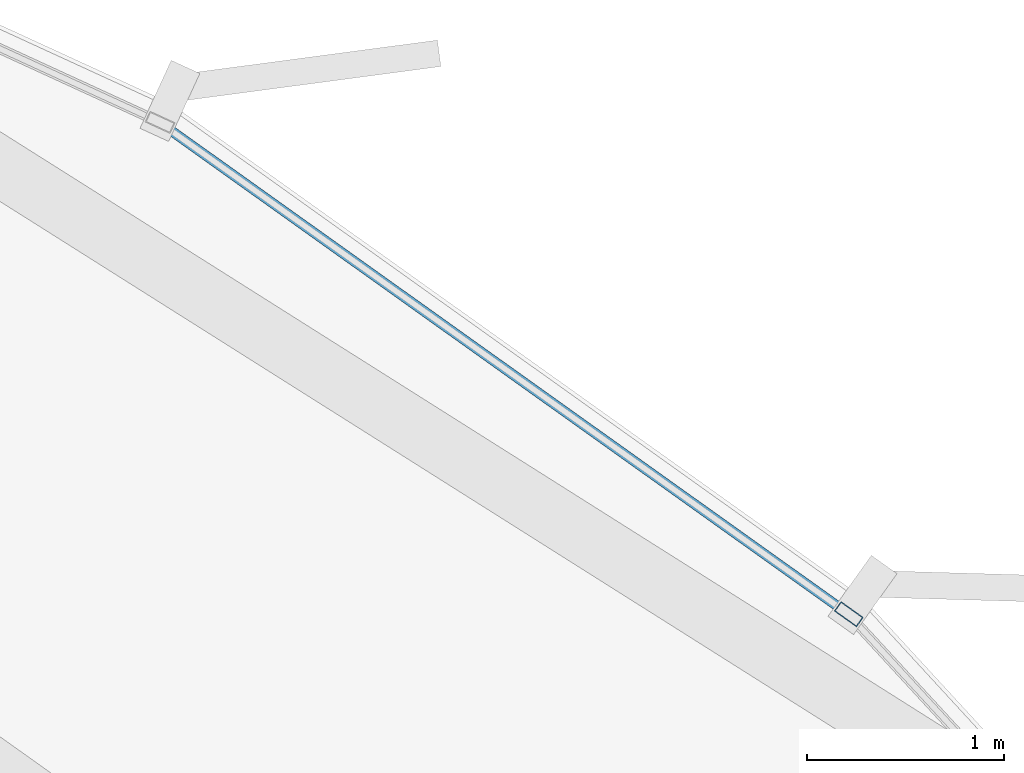
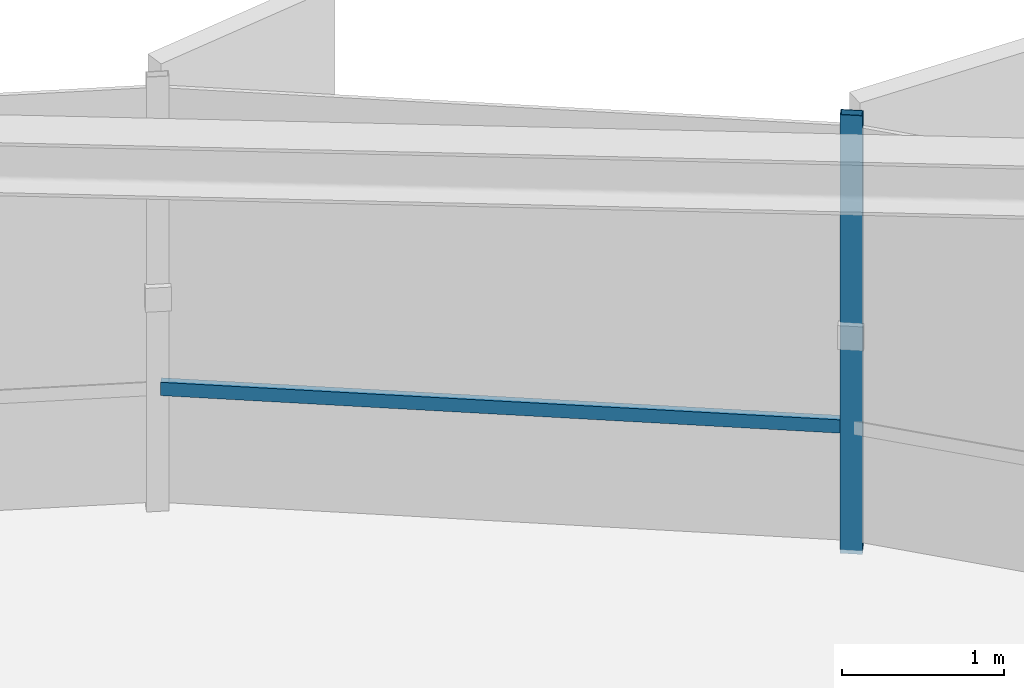
# One storey, part 25 of 34: 2 members, 1 element without a shape of its own.
"""IFC4 building model written with IfcOpenShell, lengths in metres."""

import ifcopenshell
import ifcopenshell.guid

model = None  # the IFC model being written
_history = None  # IfcOwnerHistory: only IFC2X3 demands one
_inside = {}  # id of a spatial element -> (the spatial element, [elements in it])
_under = {}  # id of a project, library or spatial element -> (it, [spatial elements below it])
_declared = {}  # id of a project -> (the project, [libraries it declares])
_typed = {}  # id of a type object -> (the type object, [elements of that type])
_made_of = {}  # id of a material, layer set ... -> (it, [elements and type objects made of it])


def new_model(schema):
    """Start an empty IFC model of exactly this schema.

    Asked for "IFC4X3", IfcOpenShell would pick the latest addendum, in which some entities
    have other attributes; the version numbers below select the first issue.
    IFC2X3 requires an IfcOwnerHistory on every rooted entity: one is made here for all.
    """
    global model, _history
    if schema == "IFC4X3":
        model = ifcopenshell.file(schema_version=(4, 3, 0, 0))
    else:
        model = ifcopenshell.file(schema=schema)
    _inside.clear()
    _under.clear()
    _declared.clear()
    _typed.clear()
    _made_of.clear()
    _history = None
    if model.schema == "IFC2X3":
        org = make("IfcOrganization", Name="unknown")
        user = make(
            "IfcPersonAndOrganization",
            ThePerson=make("IfcPerson", FamilyName="unknown"),
            TheOrganization=org,
        )
        app = make(
            "IfcApplication",
            ApplicationDeveloper=org,
            Version="unknown",
            ApplicationFullName="unknown",
            ApplicationIdentifier="unknown",
        )
        _history = make(
            "IfcOwnerHistory",
            OwningUser=user,
            OwningApplication=app,
            ChangeAction="ADDED",
            CreationDate=0,
        )
    return model


def make(cls, **values):
    """One entity of the class cls with the attributes given. An attribute that is None is left unset."""
    return model.create_entity(
        cls, **{name: value for name, value in values.items() if value is not None}
    )


def rooted(cls, **values):
    """An entity with a GlobalId (a new one), such as an element, a storey or a relation."""
    return make(cls, GlobalId=ifcopenshell.guid.new(), OwnerHistory=_history, **values)


def si_unit(unit_type, name, prefix=None):
    """IfcSIUnit, for example si_unit("LENGTHUNIT", "METRE", prefix="MILLI")."""
    return make("IfcSIUnit", UnitType=unit_type, Prefix=prefix, Name=name)


def assignment(units):
    """IfcUnitAssignment: the units of a project."""
    return None if units is None else make("IfcUnitAssignment", Units=units)


def point(xyz):
    """IfcCartesianPoint."""
    return None if xyz is None else make("IfcCartesianPoint", Coordinates=xyz)


def direction(xyz):
    """IfcDirection."""
    return None if xyz is None else make("IfcDirection", DirectionRatios=xyz)


def frame(location, z_axis=None, x_axis=None):
    """IfcAxis2Placement3D, a coordinate frame: its origin and axes. An axis left out is left unset."""
    return make(
        "IfcAxis2Placement3D",
        Location=point(location),
        Axis=direction(z_axis),
        RefDirection=direction(x_axis),
    )


def frame_2d(location, x_axis=None):
    """IfcAxis2Placement2D, a coordinate frame in the plane: its origin and x axis."""
    return make(
        "IfcAxis2Placement2D", Location=point(location), RefDirection=direction(x_axis)
    )


def origin():
    """The frame at (0, 0, 0) with its axes left unset."""
    return frame((0.0, 0.0, 0.0))


def origin_2d():
    """The frame at (0, 0) in the plane with its x axis left unset."""
    return frame_2d((0.0, 0.0))


def place(relative_to, where):
    """IfcLocalPlacement: puts the frame where relative to a parent placement (None: the world)."""
    return make(
        "IfcLocalPlacement", PlacementRelTo=relative_to, RelativePlacement=where
    )


def context(
    kind, dimensions, precision=None, world=None, true_north=None, identifier=None
):
    """IfcGeometricRepresentationContext, for example the 3D "Model" context."""
    return make(
        "IfcGeometricRepresentationContext",
        ContextIdentifier=identifier,
        ContextType=kind,
        CoordinateSpaceDimension=dimensions,
        Precision=precision,
        WorldCoordinateSystem=world,
        TrueNorth=true_north,
    )


def subcontext(parent, identifier, kind, view, scale=None):
    """IfcGeometricRepresentationSubContext, for example "Body" below "Model"."""
    return make(
        "IfcGeometricRepresentationSubContext",
        ContextIdentifier=identifier,
        ContextType=kind,
        ParentContext=parent,
        TargetScale=scale,
        TargetView=view,
    )


def project(units=None, contexts=None):
    """IfcProject with its units and contexts."""
    return rooted(
        "IfcProject",
        Name="project",
        RepresentationContexts=contexts,
        UnitsInContext=assignment(units),
    )


def spatial(cls, under=None, at=None, **own):
    """A site, building, storey or space (cls), placed at a placement, below another one or the project."""
    s = rooted(cls, ObjectPlacement=at, **own)
    if under is not None:
        _under.setdefault(under.id(), (under, []))[1].append(s)
    return s


def profile(cls, at=None, kind="AREA", **sizes):
    """A parametric profile (cls). Its sizes go by their IFC names, for example OverallWidth=200.0."""
    return make(cls, ProfileType=kind, Position=at, **sizes)


def hollow_rectangle(**sizes):
    """IfcRectangleHollowProfileDef."""
    return profile("IfcRectangleHollowProfileDef", **sizes)


def extrude(swept, where, along, depth):
    """IfcExtrudedAreaSolid: the profile swept, set in the frame where, extruded along a direction by depth."""
    return make(
        "IfcExtrudedAreaSolid",
        SweptArea=swept,
        Position=where,
        ExtrudedDirection=direction(along),
        Depth=depth,
    )


def shape(context_of_items, identifier, shape_type, items):
    """IfcShapeRepresentation: the items that make up one representation, for example the "Body"."""
    return make(
        "IfcShapeRepresentation",
        ContextOfItems=context_of_items,
        RepresentationIdentifier=identifier,
        RepresentationType=shape_type,
        Items=items,
    )


def source(mapping_origin, context_of_items, identifier, shape_type, items):
    """IfcRepresentationMap: a shape defined once, which mapped items show again and again."""
    return make(
        "IfcRepresentationMap",
        MappingOrigin=mapping_origin,
        MappedRepresentation=shape(context_of_items, identifier, shape_type, items),
    )


def transform(
    local_origin,
    x_axis=None,
    y_axis=None,
    z_axis=None,
    scale=None,
    scale2=None,
    scale3=None,
    uniform=True,
):
    """IfcCartesianTransformationOperator3D, or its non-uniform kind. x_axis, y_axis, z_axis: its Axis1, 2, 3."""
    if uniform:
        return make(
            "IfcCartesianTransformationOperator3D",
            Axis1=direction(x_axis),
            Axis2=direction(y_axis),
            LocalOrigin=point(local_origin),
            Scale=scale,
            Axis3=direction(z_axis),
        )
    return make(
        "IfcCartesianTransformationOperator3DnonUniform",
        Axis1=direction(x_axis),
        Axis2=direction(y_axis),
        LocalOrigin=point(local_origin),
        Scale=scale,
        Axis3=direction(z_axis),
        Scale2=scale2,
        Scale3=scale3,
    )


def mapped(mapping_source, mapping_target):
    """IfcMappedItem: shows the shape of a source again, moved by a transform."""
    return make(
        "IfcMappedItem", MappingSource=mapping_source, MappingTarget=mapping_target
    )


def material(Name=None, Category=None):
    """IfcMaterial."""
    return make("IfcMaterial", Name=Name, Category=Category)


def layer(
    of_material, thickness, ventilated=None, Name=None, Category=None, Priority=None
):
    """IfcMaterialLayer: one layer of a wall or slab, of a material (None: an air gap)."""
    return make(
        "IfcMaterialLayer",
        Material=of_material,
        LayerThickness=thickness,
        IsVentilated=ventilated,
        Name=Name,
        Category=Category,
        Priority=Priority,
    )


def layer_set(layers, Name=None):
    """IfcMaterialLayerSet."""
    return make("IfcMaterialLayerSet", MaterialLayers=layers, LayerSetName=Name)


def material_profile(
    of_material, cross_section, Name=None, Category=None, Priority=None
):
    """IfcMaterialProfile: a cross section and its material."""
    return make(
        "IfcMaterialProfile",
        Name=Name,
        Material=of_material,
        Profile=cross_section,
        Priority=Priority,
        Category=Category,
    )


def profile_set(profiles, Name=None, composite=None):
    """IfcMaterialProfileSet."""
    return make(
        "IfcMaterialProfileSet",
        Name=Name,
        MaterialProfiles=profiles,
        CompositeProfile=composite,
    )


def made_of(thing, what):
    """Note that an element or type object is made of a material, layer set ...; save() writes the relation."""
    if what is not None:
        _made_of.setdefault(what.id(), (what, []))[1].append(thing)
    return thing


def type_object(cls, material=None, **own):
    """A type object (cls), such as IfcWallType, which elements share."""
    return made_of(rooted(cls, **own), material)


def element(
    cls,
    number,
    at=None,
    inside=None,
    cuts=None,
    type_object=None,
    material=None,
    context=None,
    identifier="Body",
    shape_type=None,
    held_by="IfcProductDefinitionShape",
    body=None,
    shapes=None,
    **own,
):
    """One element of the class cls, such as IfcWall. Its Tag is "e" and its number.

    at: its placement. inside: the storey or other place that contains it. cuts: it is an
    opening in that element (IfcRelVoidsElement). A single representation is given by context,
    identifier, shape_type and body (its items); several are given by shapes. held_by: the class
    of the entity that holds the representations. save() writes the other relations.
    """
    e = rooted(cls, Tag="e%d" % number, ObjectPlacement=at, **own)
    if body is not None:
        shapes = [shape(context, identifier, shape_type, body)]
    if shapes is not None:
        e.Representation = make(held_by, Representations=shapes)
    if inside is not None:
        _inside.setdefault(inside.id(), (inside, []))[1].append(e)
    if cuts is not None:
        rooted(
            "IfcRelVoidsElement", RelatingBuildingElement=cuts, RelatedOpeningElement=e
        )
    if type_object is not None:
        _typed.setdefault(type_object.id(), (type_object, []))[1].append(e)
    return made_of(e, material)


def aggregate(whole, parts):
    """IfcRelAggregates: a whole, such as a stair, and the parts it consists of."""
    return rooted("IfcRelAggregates", RelatingObject=whole, RelatedObjects=parts)


def save(model, path):
    """Write the relations noted so far, then the file.

    IfcRelAggregates (storeys below a building ...), IfcRelContainedInSpatialStructure (elements
    in a storey), IfcRelDefinesByType, IfcRelAssociatesMaterial and IfcRelDeclares: one each for
    every whole, place, type object, material and project.
    """
    for whole, parts in _under.values():
        aggregate(whole, parts)
    for where, things in _inside.values():
        rooted(
            "IfcRelContainedInSpatialStructure",
            RelatedElements=things,
            RelatingStructure=where,
        )
    for kind, things in _typed.values():
        rooted("IfcRelDefinesByType", RelatedObjects=things, RelatingType=kind)
    for what, things in _made_of.values():
        rooted("IfcRelAssociatesMaterial", RelatedObjects=things, RelatingMaterial=what)
    for by, libraries in _declared.values():
        rooted("IfcRelDeclares", RelatingContext=by, RelatedDefinitions=libraries)
    model.write(path)


model = new_model("IFC4")

# Units and contexts
model_context = context("Model", 3, precision=1e-05, world=origin(), true_north=direction((0.0, 1.0)))
body_context = subcontext(model_context, "Body", "Model", "MODEL_VIEW")
ifc_project = project(units=[si_unit("LENGTHUNIT", "METRE"), si_unit("AREAUNIT", "SQUARE_METRE"), si_unit("VOLUMEUNIT", "CUBIC_METRE"), si_unit("PLANEANGLEUNIT", "RADIAN"), si_unit("MASSUNIT", "GRAM", prefix="KILO"), si_unit("THERMODYNAMICTEMPERATUREUNIT", "KELVIN")], contexts=[model_context])

# Site, building, storey
site_placement = place(None, origin())
site = spatial("IfcSite", under=ifc_project, at=site_placement, CompositionType="ELEMENT")
building_placement = place(site_placement, origin())
building = spatial("IfcBuilding", under=site, at=building_placement, Name="Kethvar Cultural Tower", CompositionType="ELEMENT")
storey_placement = place(building_placement, frame((0.0, 0.0, 128.800048828125)))
storey = spatial("IfcBuildingStorey", under=building, at=storey_placement, Name="L32", CompositionType="ELEMENT", Elevation=128.800048828125)

# Curtain wall, members
ifc_material = material(Name="Aluminium 6063-T6", Category="aluminium")
ifc_layer = layer(ifc_material, 0.179931640625, Name="Aluminium 6063-T6", Category="aluminium")
ifc_layer_set = layer_set([ifc_layer], Name="Aluminium 6063-T6 (180 mm)")
curtain_wall_type = type_object("IfcCurtainWallType", Name="CW-SYS-04-Z34", PredefinedType="NOTDEFINED", material=ifc_layer_set)
curtain_wall_placement = place(storey_placement, origin())
curtain_wall = element("IfcCurtainWall", 1, at=curtain_wall_placement, inside=storey, type_object=curtain_wall_type, Name="L32 Curtain Wall Run 01", PredefinedType="NOTDEFINED")
ifc_material_profile_1 = material_profile(ifc_material, hollow_rectangle(XDim=0.06005859375, YDim=0.139892578125, WallThickness=0.0048828125, at=origin_2d()), Name="Aluminium 6063-T6 — RHS140x60x5")
ifc_profile_set_1 = profile_set([ifc_material_profile_1], Name="Aluminium 6063-T6 — RHS140x60x5")
member_type_1 = type_object("IfcMemberType", Name="CW-SYS-04-Z34-MUL", PredefinedType="MULLION", material=ifc_profile_set_1)
shared_shape_1 = source(origin(), body_context, "Body", "SweptSolid", [
    extrude(hollow_rectangle(XDim=0.06005859375, YDim=0.139892578125, WallThickness=0.0048828125, at=origin_2d()), origin(), (0.0, 0.0, 1.0), 3.300048828125),
])
member_1_placement = place(storey_placement, frame((68.816162109375, 45.9912109375, 0.0), z_axis=(0.0, 0.0, 1.0), x_axis=(-0.580845036828, -0.814014154172, 0.0)))
member_1 = element("IfcMember", 2, at=member_1_placement, type_object=member_type_1, Name="CW-L32-R01 Mullion 3", PredefinedType="MULLION", context=body_context, shape_type="MappedRepresentation", body=[
    mapped(shared_shape_1, transform((0.0, 0.0, 0.0), scale=1.0)),
])
ifc_material_profile_2 = material_profile(ifc_material, hollow_rectangle(XDim=0.050048828125, YDim=0.10009765625, WallThickness=0.00390625, at=origin_2d()), Name="Aluminium 6063-T6 — RHS100x50x4")
ifc_profile_set_2 = profile_set([ifc_material_profile_2], Name="Aluminium 6063-T6 — RHS100x50x4")
member_type_2 = type_object("IfcMemberType", Name="CW-SYS-04-Z34-TRN", PredefinedType="USERDEFINED", material=ifc_profile_set_2)
shared_shape_2 = source(origin(), body_context, "Body", "SweptSolid", [
    extrude(hollow_rectangle(XDim=0.050048828125, YDim=0.10009765625, WallThickness=0.00390625, at=origin_2d()), origin(), (0.0, 0.0, 1.0), 4.233154296875),
])
member_2_placement = place(storey_placement, frame((68.781005859375, 46.016357421875, 0.949951171875), z_axis=(-0.814017849304, 0.580839858321, 0.0), x_axis=(-0.580839858321, -0.814017849304, 0.0)))
member_2 = element("IfcMember", 3, at=member_2_placement, type_object=member_type_2, Name="CW-L32-R01 Transom 3", ObjectType="TRANSOM", PredefinedType="USERDEFINED", context=body_context, shape_type="MappedRepresentation", body=[
    mapped(shared_shape_2, transform((0.0, 0.0, 0.0), scale=1.0)),
])
aggregate(curtain_wall, [member_1, member_2])

save(model, "model.ifc")
